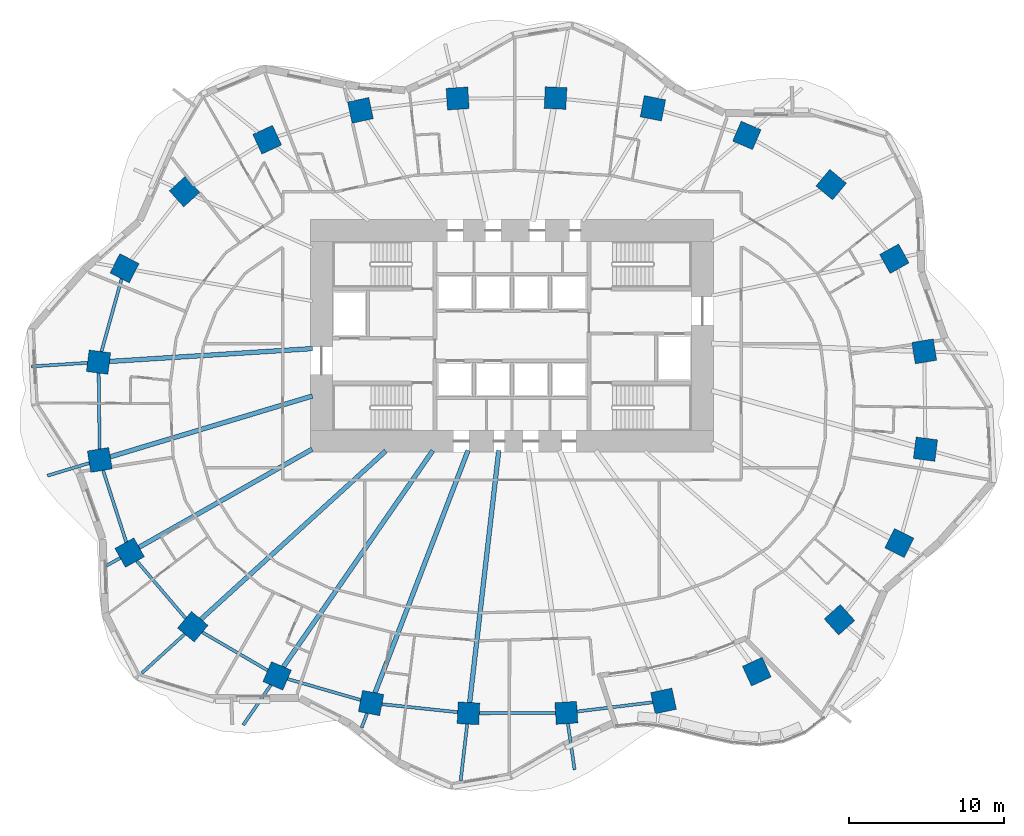
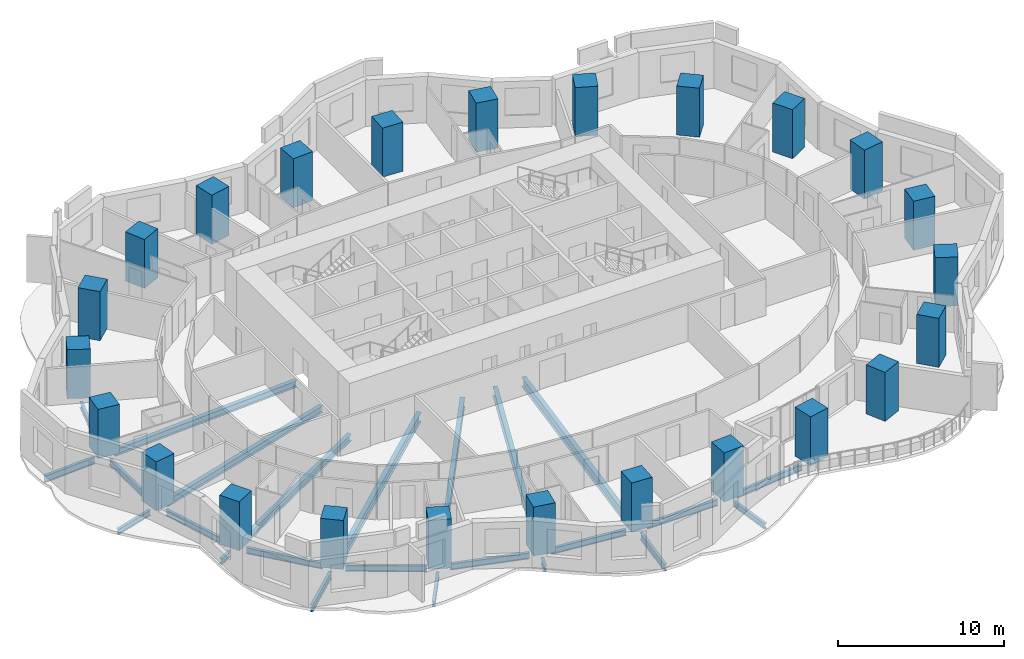
# One storey, part 1 of 14: 24 beams, 24 columns.
"""IFC4 building model written with IfcOpenShell, lengths in metres."""

import ifcopenshell
import ifcopenshell.guid

model = None  # the IFC model being written
_history = None  # IfcOwnerHistory: only IFC2X3 demands one
_inside = {}  # id of a spatial element -> (the spatial element, [elements in it])
_under = {}  # id of a project, library or spatial element -> (it, [spatial elements below it])
_declared = {}  # id of a project -> (the project, [libraries it declares])
_typed = {}  # id of a type object -> (the type object, [elements of that type])
_made_of = {}  # id of a material, layer set ... -> (it, [elements and type objects made of it])


def new_model(schema):
    """Start an empty IFC model of exactly this schema.

    Asked for "IFC4X3", IfcOpenShell would pick the latest addendum, in which some entities
    have other attributes; the version numbers below select the first issue.
    IFC2X3 requires an IfcOwnerHistory on every rooted entity: one is made here for all.
    """
    global model, _history
    if schema == "IFC4X3":
        model = ifcopenshell.file(schema_version=(4, 3, 0, 0))
    else:
        model = ifcopenshell.file(schema=schema)
    _inside.clear()
    _under.clear()
    _declared.clear()
    _typed.clear()
    _made_of.clear()
    _history = None
    if model.schema == "IFC2X3":
        org = make("IfcOrganization", Name="unknown")
        user = make(
            "IfcPersonAndOrganization",
            ThePerson=make("IfcPerson", FamilyName="unknown"),
            TheOrganization=org,
        )
        app = make(
            "IfcApplication",
            ApplicationDeveloper=org,
            Version="unknown",
            ApplicationFullName="unknown",
            ApplicationIdentifier="unknown",
        )
        _history = make(
            "IfcOwnerHistory",
            OwningUser=user,
            OwningApplication=app,
            ChangeAction="ADDED",
            CreationDate=0,
        )
    return model


def make(cls, **values):
    """One entity of the class cls with the attributes given. An attribute that is None is left unset."""
    return model.create_entity(
        cls, **{name: value for name, value in values.items() if value is not None}
    )


def rooted(cls, **values):
    """An entity with a GlobalId (a new one), such as an element, a storey or a relation."""
    return make(cls, GlobalId=ifcopenshell.guid.new(), OwnerHistory=_history, **values)


def si_unit(unit_type, name, prefix=None):
    """IfcSIUnit, for example si_unit("LENGTHUNIT", "METRE", prefix="MILLI")."""
    return make("IfcSIUnit", UnitType=unit_type, Prefix=prefix, Name=name)


def assignment(units):
    """IfcUnitAssignment: the units of a project."""
    return None if units is None else make("IfcUnitAssignment", Units=units)


def point(xyz):
    """IfcCartesianPoint."""
    return None if xyz is None else make("IfcCartesianPoint", Coordinates=xyz)


def direction(xyz):
    """IfcDirection."""
    return None if xyz is None else make("IfcDirection", DirectionRatios=xyz)


def frame(location, z_axis=None, x_axis=None):
    """IfcAxis2Placement3D, a coordinate frame: its origin and axes. An axis left out is left unset."""
    return make(
        "IfcAxis2Placement3D",
        Location=point(location),
        Axis=direction(z_axis),
        RefDirection=direction(x_axis),
    )


def frame_2d(location, x_axis=None):
    """IfcAxis2Placement2D, a coordinate frame in the plane: its origin and x axis."""
    return make(
        "IfcAxis2Placement2D", Location=point(location), RefDirection=direction(x_axis)
    )


def origin():
    """The frame at (0, 0, 0) with its axes left unset."""
    return frame((0.0, 0.0, 0.0))


def origin_2d():
    """The frame at (0, 0) in the plane with its x axis left unset."""
    return frame_2d((0.0, 0.0))


def place(relative_to, where):
    """IfcLocalPlacement: puts the frame where relative to a parent placement (None: the world)."""
    return make(
        "IfcLocalPlacement", PlacementRelTo=relative_to, RelativePlacement=where
    )


def context(
    kind, dimensions, precision=None, world=None, true_north=None, identifier=None
):
    """IfcGeometricRepresentationContext, for example the 3D "Model" context."""
    return make(
        "IfcGeometricRepresentationContext",
        ContextIdentifier=identifier,
        ContextType=kind,
        CoordinateSpaceDimension=dimensions,
        Precision=precision,
        WorldCoordinateSystem=world,
        TrueNorth=true_north,
    )


def subcontext(parent, identifier, kind, view, scale=None):
    """IfcGeometricRepresentationSubContext, for example "Body" below "Model"."""
    return make(
        "IfcGeometricRepresentationSubContext",
        ContextIdentifier=identifier,
        ContextType=kind,
        ParentContext=parent,
        TargetScale=scale,
        TargetView=view,
    )


def project(units=None, contexts=None):
    """IfcProject with its units and contexts."""
    return rooted(
        "IfcProject",
        Name="project",
        RepresentationContexts=contexts,
        UnitsInContext=assignment(units),
    )


def spatial(cls, under=None, at=None, **own):
    """A site, building, storey or space (cls), placed at a placement, below another one or the project."""
    s = rooted(cls, ObjectPlacement=at, **own)
    if under is not None:
        _under.setdefault(under.id(), (under, []))[1].append(s)
    return s


def profile(cls, at=None, kind="AREA", **sizes):
    """A parametric profile (cls). Its sizes go by their IFC names, for example OverallWidth=200.0."""
    return make(cls, ProfileType=kind, Position=at, **sizes)


def rectangle(**sizes):
    """IfcRectangleProfileDef."""
    return profile("IfcRectangleProfileDef", **sizes)


def i_section(**sizes):
    """IfcIShapeProfileDef."""
    return profile("IfcIShapeProfileDef", **sizes)


def extrude(swept, where, along, depth):
    """IfcExtrudedAreaSolid: the profile swept, set in the frame where, extruded along a direction by depth."""
    return make(
        "IfcExtrudedAreaSolid",
        SweptArea=swept,
        Position=where,
        ExtrudedDirection=direction(along),
        Depth=depth,
    )


def shape(context_of_items, identifier, shape_type, items):
    """IfcShapeRepresentation: the items that make up one representation, for example the "Body"."""
    return make(
        "IfcShapeRepresentation",
        ContextOfItems=context_of_items,
        RepresentationIdentifier=identifier,
        RepresentationType=shape_type,
        Items=items,
    )


def material(Name=None, Category=None):
    """IfcMaterial."""
    return make("IfcMaterial", Name=Name, Category=Category)


def material_profile(
    of_material, cross_section, Name=None, Category=None, Priority=None
):
    """IfcMaterialProfile: a cross section and its material."""
    return make(
        "IfcMaterialProfile",
        Name=Name,
        Material=of_material,
        Profile=cross_section,
        Priority=Priority,
        Category=Category,
    )


def profile_set(profiles, Name=None, composite=None):
    """IfcMaterialProfileSet."""
    return make(
        "IfcMaterialProfileSet",
        Name=Name,
        MaterialProfiles=profiles,
        CompositeProfile=composite,
    )


def made_of(thing, what):
    """Note that an element or type object is made of a material, layer set ...; save() writes the relation."""
    if what is not None:
        _made_of.setdefault(what.id(), (what, []))[1].append(thing)
    return thing


def type_object(cls, material=None, **own):
    """A type object (cls), such as IfcWallType, which elements share."""
    return made_of(rooted(cls, **own), material)


def element(
    cls,
    number,
    at=None,
    inside=None,
    cuts=None,
    type_object=None,
    material=None,
    context=None,
    identifier="Body",
    shape_type=None,
    held_by="IfcProductDefinitionShape",
    body=None,
    shapes=None,
    **own,
):
    """One element of the class cls, such as IfcWall. Its Tag is "e" and its number.

    at: its placement. inside: the storey or other place that contains it. cuts: it is an
    opening in that element (IfcRelVoidsElement). A single representation is given by context,
    identifier, shape_type and body (its items); several are given by shapes. held_by: the class
    of the entity that holds the representations. save() writes the other relations.
    """
    e = rooted(cls, Tag="e%d" % number, ObjectPlacement=at, **own)
    if body is not None:
        shapes = [shape(context, identifier, shape_type, body)]
    if shapes is not None:
        e.Representation = make(held_by, Representations=shapes)
    if inside is not None:
        _inside.setdefault(inside.id(), (inside, []))[1].append(e)
    if cuts is not None:
        rooted(
            "IfcRelVoidsElement", RelatingBuildingElement=cuts, RelatedOpeningElement=e
        )
    if type_object is not None:
        _typed.setdefault(type_object.id(), (type_object, []))[1].append(e)
    return made_of(e, material)


def aggregate(whole, parts):
    """IfcRelAggregates: a whole, such as a stair, and the parts it consists of."""
    return rooted("IfcRelAggregates", RelatingObject=whole, RelatedObjects=parts)


def save(model, path):
    """Write the relations noted so far, then the file.

    IfcRelAggregates (storeys below a building ...), IfcRelContainedInSpatialStructure (elements
    in a storey), IfcRelDefinesByType, IfcRelAssociatesMaterial and IfcRelDeclares: one each for
    every whole, place, type object, material and project.
    """
    for whole, parts in _under.values():
        aggregate(whole, parts)
    for where, things in _inside.values():
        rooted(
            "IfcRelContainedInSpatialStructure",
            RelatedElements=things,
            RelatingStructure=where,
        )
    for kind, things in _typed.values():
        rooted("IfcRelDefinesByType", RelatedObjects=things, RelatingType=kind)
    for what, things in _made_of.values():
        rooted("IfcRelAssociatesMaterial", RelatedObjects=things, RelatingMaterial=what)
    for by, libraries in _declared.values():
        rooted("IfcRelDeclares", RelatingContext=by, RelatedDefinitions=libraries)
    model.write(path)


model = new_model("IFC4")

# Units and contexts
model_context = context("Model", 3, precision=1e-05, world=origin(), true_north=direction((0.0, 1.0)))
body_context = subcontext(model_context, "Body", "Model", "MODEL_VIEW")
ifc_project = project(units=[si_unit("LENGTHUNIT", "METRE"), si_unit("AREAUNIT", "SQUARE_METRE"), si_unit("VOLUMEUNIT", "CUBIC_METRE"), si_unit("PLANEANGLEUNIT", "RADIAN"), si_unit("MASSUNIT", "GRAM", prefix="KILO")], contexts=[model_context])

# Site, building, storey
site_placement = place(None, origin())
site = spatial("IfcSite", under=ifc_project, at=site_placement, CompositionType="ELEMENT")
building_placement = place(site_placement, origin())
building = spatial("IfcBuilding", under=site, at=building_placement, Name="Rubra Terraces Tower", CompositionType="ELEMENT")
storey_placement = place(building_placement, frame((0.0, 0.0, 44.699951171875)))
storey = spatial("IfcBuildingStorey", under=building, at=storey_placement, Name="L08", CompositionType="ELEMENT", Elevation=44.699951171875)

# Columns
ifc_material_1 = material(Name="Concrete C60", Category="concrete")
ifc_material_profile_1 = material_profile(ifc_material_1, rectangle(XDim=1.39990234375, YDim=1.39990234375, at=origin_2d()), Name="RC 1400x1400")
ifc_profile_set_1 = profile_set([ifc_material_profile_1], Name="Concrete C60")
column_type = type_object("IfcColumnType", Name="RING COLUMN RC 1400x1400 C60", PredefinedType="COLUMN", material=ifc_profile_set_1)
for number, where, z_axis, x_axis, name in (
    (1, (26.60498046875, 3.5029296875, 0.0), (0.0, 0.0, 1.0), (-0.161234051287, 0.986916197408, 0.0), "column-L08-ring-01"),
    (2, (24.676025390625, 9.48291015625, 0.0), (0.0, 0.0, 1.0), (-0.487226597714, 0.873275582208, 0.0), "column-L08-ring-02"),
    (3, (20.60009765625, 14.26611328125, 0.0), (0.0, 0.0, 1.0), (-0.767209547574, 0.641396531104, 0.0), "column-L08-ring-03"),
    (4, (15.156982421875, 17.44091796875, 0.0), (0.0, 0.0, 1.0), (-0.919293738002, 0.393572132232, 0.0), "column-L08-ring-04"),
    (5, (9.093994140625, 19.19189453125, 0.0), (0.0, 0.0, 1.0), (-0.981430410798, 0.191818530806, 0.0), "column-L08-ring-05"),
    (6, (2.81103515625, 19.85400390625, 0.0), (0.0, 0.0, 1.0), (-0.99874501614, 0.050083857035, 0.0), "column-L08-ring-06"),
    (7, (-3.509033203125, 19.823974609375, 0.0), (0.0, 0.0, 1.0), (-0.9980076013, -0.063093801177, 0.0), "column-L08-ring-07"),
    (8, (-9.780029296875, 19.05810546875, 0.0), (0.0, 0.0, 1.0), (-0.977386186482, -0.211462153764, 0.0), "column-L08-ring-08"),
    (9, (-15.799072265625, 17.1650390625, 0.0), (0.0, 0.0, 1.0), (-0.907952363445, -0.419073389413, 0.0), "column-L08-ring-09"),
    (10, (-21.135009765625, 13.81689453125, 0.0), (0.0, 0.0, 1.0), (-0.742675944539, -0.66965098477, 0.0), "column-L08-ring-10"),
    (11, (-25.0029296875, 8.865966796875, 0.0), (0.0, 0.0, 1.0), (-0.450098906028, -0.892978709036, 0.0), "column-L08-ring-11"),
    (12, (-26.68408203125, 2.80810546875, 0.0), (0.0, 0.0, 1.0), (-0.128444510405, -0.991716697322, 0.0), "column-L08-ring-12"),
    (13, (-26.60498046875, -3.5029296875, 0.0), (0.0, 0.0, 1.0), (0.161234051287, -0.986916197408, 0.0), "column-L08-ring-13"),
    (14, (-24.676025390625, -9.48291015625, 0.0), (0.0, 0.0, 1.0), (0.487226597714, -0.873275582208, 0.0), "column-L08-ring-14"),
    (15, (-20.60009765625, -14.26611328125, 0.0), (0.0, 0.0, 1.0), (0.767209547574, -0.641396531104, 0.0), "column-L08-ring-15"),
    (16, (-15.156982421875, -17.44091796875, 0.0), (0.0, 0.0, 1.0), (0.919293738002, -0.393572132232, 0.0), "column-L08-ring-16"),
    (17, (-9.093994140625, -19.19189453125, 0.0), (0.0, 0.0, 1.0), (0.981430410798, -0.191818530806, 0.0), "column-L08-ring-17"),
    (18, (-2.81103515625, -19.85400390625, 0.0), (0.0, 0.0, 1.0), (0.99874501614, -0.050083857035, 0.0), "column-L08-ring-18"),
    (19, (3.509033203125, -19.823974609375, 0.0), (0.0, 0.0, 1.0), (0.9980076013, 0.063093801177, 0.0), "column-L08-ring-19"),
    (20, (9.780029296875, -19.05810546875, 0.0), (0.0, 0.0, 1.0), (0.977386186482, 0.211462153764, 0.0), "column-L08-ring-20"),
    (21, (15.799072265625, -17.1650390625, 0.0), (0.0, 0.0, 1.0), (0.907952363445, 0.419073389413, 0.0), "column-L08-ring-21"),
    (22, (21.135009765625, -13.81689453125, 0.0), (0.0, 0.0, 1.0), (0.742675944539, 0.66965098477, 0.0), "column-L08-ring-22"),
    (23, (25.0029296875, -8.865966796875, 0.0), (0.0, 0.0, 1.0), (0.450098906028, 0.892978709036, 0.0), "column-L08-ring-23"),
    (24, (26.68408203125, -2.80810546875, 0.0), (0.0, 0.0, 1.0), (0.128444510405, 0.991716697322, 0.0), "column-L08-ring-24"),
):
    element("IfcColumn", number, at=place(storey_placement, frame(where, z_axis=z_axis, x_axis=x_axis)), inside=storey, type_object=column_type, Name=name, PredefinedType="COLUMN", context=body_context, shape_type="SweptSolid", body=[
        extrude(rectangle(XDim=1.39990234375, YDim=1.39990234375, at=origin_2d()), origin(), (0.0, 0.0, 1.0), 3.60009765625),
    ])

# Beams
ifc_material_2 = material(Name="Steel Q355B", Category="steel")
ifc_material_profile_2 = material_profile(ifc_material_2, i_section(OverallWidth=0.199951171875, OverallDepth=0.39990234375, WebThickness=0.008056640625, FlangeThickness=0.012939453125, at=origin_2d()), Name="HN 400x200x8x13")
ifc_profile_set_2 = profile_set([ifc_material_profile_2], Name="Steel Q355B")
beam_type_1 = type_object("IfcBeamType", Name="CANTILEVER BEAM HN 400x200x8x13", PredefinedType="BEAM", material=ifc_profile_set_2)
beam_1_placement = place(storey_placement, frame((-27.281005859375, -3.7060546875, -0.39990234375), z_axis=(-0.95758002383, -0.288167482486, 0.0), x_axis=(0.288167482486, -0.95758002383, 0.0)))
element("IfcBeam", 25, at=beam_1_placement, inside=storey, type_object=beam_type_1, Name="beam-L08-cant-13", PredefinedType="BEAM", context=body_context, shape_type="SweptSolid", body=[
    extrude(i_section(OverallWidth=0.199951171875, OverallDepth=0.39990234375, WebThickness=0.008056640625, FlangeThickness=0.012939453125, at=origin_2d()), origin(), (0.0, 0.0, 1.0), 2.814453125),
])
beam_2_placement = place(storey_placement, frame((-15.56298828125, -18.029052734375, -0.39990234375), z_axis=(-0.568561353485, -0.822640861691, 0.0), x_axis=(0.822640861691, -0.568561353485, 0.0)))
element("IfcBeam", 26, at=beam_2_placement, inside=storey, type_object=beam_type_1, Name="beam-L08-cant-16", PredefinedType="BEAM", context=body_context, shape_type="SweptSolid", body=[
    extrude(i_section(OverallWidth=0.199951171875, OverallDepth=0.39990234375, WebThickness=0.008056640625, FlangeThickness=0.012939453125, at=origin_2d()), origin(), (0.0, 0.0, 1.0), 3.132568359375),
])
beam_3_placement = place(storey_placement, frame((3.60888671875, -20.51904296875, -0.39990234375), z_axis=(0.143054217622, -0.989714853289, 0.0), x_axis=(0.989714853289, 0.143054217622, 0.0)))
element("IfcBeam", 27, at=beam_3_placement, inside=storey, type_object=beam_type_1, Name="beam-L08-cant-19", PredefinedType="BEAM", context=body_context, shape_type="SweptSolid", body=[
    extrude(i_section(OverallWidth=0.199951171875, OverallDepth=0.39990234375, WebThickness=0.008056640625, FlangeThickness=0.012939453125, at=origin_2d()), origin(), (0.0, 0.0, 1.0), 3.013916015625),
])
ifc_material_profile_3 = material_profile(ifc_material_2, i_section(OverallWidth=0.198974609375, OverallDepth=0.49609375, WebThickness=0.009033203125, FlangeThickness=0.013916015625, at=origin_2d()), Name="HN 496x199x9x14")
ifc_profile_set_3 = profile_set([ifc_material_profile_3], Name="Steel Q355B")
beam_type_2 = type_object("IfcBeamType", Name="CANTILEVER BEAM HN 496x199x9x14", PredefinedType="BEAM", material=ifc_profile_set_3)
beam_4_placement = place(storey_placement, frame((-27.39599609375, 2.762939453125, -0.447998046875), z_axis=(-0.997998430051, -0.063238703465, 0.0), x_axis=(0.063238703465, -0.997998430051, 0.0)))
element("IfcBeam", 28, at=beam_4_placement, inside=storey, type_object=beam_type_2, Name="beam-L08-cant-12", PredefinedType="BEAM", context=body_context, shape_type="SweptSolid", body=[
    extrude(i_section(OverallWidth=0.198974609375, OverallDepth=0.49609375, WebThickness=0.009033203125, FlangeThickness=0.013916015625, at=origin_2d()), origin(), (0.0, 0.0, 1.0), 3.621337890625),
])
beam_5_placement = place(storey_placement, frame((-21.1220703125, -14.741943359375, -0.447998046875), z_axis=(-0.739230300797, -0.673452717259, 0.0), x_axis=(0.673452717259, -0.739230300797, 0.0)))
element("IfcBeam", 29, at=beam_5_placement, inside=storey, type_object=beam_type_2, Name="beam-L08-cant-15", PredefinedType="BEAM", context=body_context, shape_type="SweptSolid", body=[
    extrude(i_section(OverallWidth=0.198974609375, OverallDepth=0.49609375, WebThickness=0.009033203125, FlangeThickness=0.013916015625, at=origin_2d()), origin(), (0.0, 0.0, 1.0), 3.737548828125),
])
beam_6_placement = place(storey_placement, frame((-2.89111328125, -20.551025390625, -0.447998046875), z_axis=(-0.114760227617, -0.99339322031, 0.0), x_axis=(0.99339322031, -0.114760227617, 0.0)))
element("IfcBeam", 30, at=beam_6_placement, inside=storey, type_object=beam_type_2, Name="beam-L08-cant-18", PredefinedType="BEAM", context=body_context, shape_type="SweptSolid", body=[
    extrude(i_section(OverallWidth=0.198974609375, OverallDepth=0.49609375, WebThickness=0.009033203125, FlangeThickness=0.013916015625, at=origin_2d()), origin(), (0.0, 0.0, 1.0), 3.676025390625),
])
ifc_material_profile_4 = material_profile(ifc_material_2, i_section(OverallWidth=0.199951171875, OverallDepth=0.39990234375, WebThickness=0.008056640625, FlangeThickness=0.012939453125, at=origin_2d()), Name="HN 400x200x8x13")
ifc_profile_set_4 = profile_set([ifc_material_profile_4], Name="Steel Q355B")
beam_type_3 = type_object("IfcBeamType", Name="CANTILEVER STUB HN 400x200x8x13", PredefinedType="BEAM", material=ifc_profile_set_4)
beam_7_placement = place(storey_placement, frame((-25.284912109375, -9.827880859375, -0.39990234375), z_axis=(-0.869831937936, -0.493348152674, 0.0), x_axis=(0.493348152674, -0.869831937936, 0.0)))
element("IfcBeam", 31, at=beam_7_placement, inside=storey, type_object=beam_type_3, Name="beam-L08-cant-14", PredefinedType="BEAM", context=body_context, shape_type="SweptSolid", body=[
    extrude(i_section(OverallWidth=0.199951171875, OverallDepth=0.39990234375, WebThickness=0.008056640625, FlangeThickness=0.012939453125, at=origin_2d()), origin(), (0.0, 0.0, 1.0), 1.02783203125),
])
beam_8_placement = place(storey_placement, frame((-9.34912109375, -19.85498046875, -0.39990234375), z_axis=(-0.357321473946, -0.933981458198, 0.0), x_axis=(0.933981458198, -0.357321473946, 0.0)))
element("IfcBeam", 32, at=beam_8_placement, inside=storey, type_object=beam_type_3, Name="beam-L08-cant-17", PredefinedType="BEAM", context=body_context, shape_type="SweptSolid", body=[
    extrude(i_section(OverallWidth=0.199951171875, OverallDepth=0.39990234375, WebThickness=0.008056640625, FlangeThickness=0.012939453125, at=origin_2d()), origin(), (0.0, 0.0, 1.0), 0.9873046875),
])
ifc_material_profile_5 = material_profile(ifc_material_2, i_section(OverallWidth=0.300048828125, OverallDepth=0.48193359375, WebThickness=0.010986328125, FlangeThickness=0.014892578125, at=origin_2d()), Name="HM 482x300x11x15")
ifc_profile_set_5 = profile_set([ifc_material_profile_5], Name="Steel Q355B")
beam_type_4 = type_object("IfcBeamType", Name="FLOOR BEAM HM 482x300x11x15", PredefinedType="BEAM", material=ifc_profile_set_5)
beam_9_placement = place(storey_placement, frame((-25.971923828125, 2.85302734375, -0.44091796875), z_axis=(0.997996052936, 0.06327620662, 0.0), x_axis=(-0.06327620662, 0.997996052936, 0.0)))
element("IfcBeam", 33, at=beam_9_placement, inside=storey, type_object=beam_type_4, Name="beam-L08-floor-12", PredefinedType="BEAM", context=body_context, shape_type="SweptSolid", body=[
    extrude(i_section(OverallWidth=0.300048828125, OverallDepth=0.48193359375, WebThickness=0.010986328125, FlangeThickness=0.014892578125, at=origin_2d()), origin(), (0.0, 0.0, 1.0), 13.118408203125),
])
beam_10_placement = place(storey_placement, frame((-25.928955078125, -3.300048828125, -0.44091796875), z_axis=(0.957605991861, 0.288081176671, 0.0), x_axis=(-0.288081176671, 0.957605991861, 0.0)))
element("IfcBeam", 34, at=beam_10_placement, inside=storey, type_object=beam_type_4, Name="beam-L08-floor-13", PredefinedType="BEAM", context=body_context, shape_type="SweptSolid", body=[
    extrude(i_section(OverallWidth=0.300048828125, OverallDepth=0.48193359375, WebThickness=0.010986328125, FlangeThickness=0.014892578125, at=origin_2d()), origin(), (0.0, 0.0, 1.0), 13.621337890625),
])
beam_11_placement = place(storey_placement, frame((-24.06689453125, -9.137939453125, -0.44091796875), z_axis=(0.869992824144, 0.493064383157, 0.0), x_axis=(-0.493064383157, 0.869992824144, 0.0)))
element("IfcBeam", 35, at=beam_11_placement, inside=storey, type_object=beam_type_4, Name="beam-L08-floor-14", PredefinedType="BEAM", context=body_context, shape_type="SweptSolid", body=[
    extrude(i_section(OverallWidth=0.300048828125, OverallDepth=0.48193359375, WebThickness=0.010986328125, FlangeThickness=0.014892578125, at=origin_2d()), origin(), (0.0, 0.0, 1.0), 12.84033203125),
])
ifc_material_profile_6 = material_profile(ifc_material_2, i_section(OverallWidth=0.300048828125, OverallDepth=0.699951171875, WebThickness=0.012939453125, FlangeThickness=0.02392578125, at=origin_2d()), Name="HN 700x300x13x24")
ifc_profile_set_6 = profile_set([ifc_material_profile_6], Name="Steel Q355B")
beam_type_5 = type_object("IfcBeamType", Name="FLOOR BEAM HN 700x300x13x24", PredefinedType="BEAM", material=ifc_profile_set_6)
beam_12_placement = place(storey_placement, frame((-20.077880859375, -13.7900390625, -0.550048828125), z_axis=(0.739256734846, 0.673423700195, 0.0), x_axis=(-0.673423700195, 0.739256734846, 0.0)))
element("IfcBeam", 36, at=beam_12_placement, inside=storey, type_object=beam_type_5, Name="beam-L08-floor-15", PredefinedType="BEAM", context=body_context, shape_type="SweptSolid", body=[
    extrude(i_section(OverallWidth=0.300048828125, OverallDepth=0.699951171875, WebThickness=0.012939453125, FlangeThickness=0.02392578125, at=origin_2d()), origin(), (0.0, 0.0, 1.0), 16.14306640625),
])
beam_13_placement = place(storey_placement, frame((-14.7509765625, -16.85302734375, -0.550048828125), z_axis=(0.568362941886, 0.822777956858, 0.0), x_axis=(-0.822777956858, 0.568362941886, 0.0)))
element("IfcBeam", 37, at=beam_13_placement, inside=storey, type_object=beam_type_5, Name="beam-L08-floor-16", PredefinedType="BEAM", context=body_context, shape_type="SweptSolid", body=[
    extrude(i_section(OverallWidth=0.300048828125, OverallDepth=0.699951171875, WebThickness=0.012939453125, FlangeThickness=0.02392578125, at=origin_2d()), origin(), (0.0, 0.0, 1.0), 16.957275390625),
])
beam_14_placement = place(storey_placement, frame((-8.839111328125, -18.529052734375, -0.550048828125), z_axis=(0.358321803184, 0.933598139117, 0.0), x_axis=(-0.933598139117, 0.358321803184, 0.0)))
element("IfcBeam", 38, at=beam_14_placement, inside=storey, type_object=beam_type_5, Name="beam-L08-floor-17", PredefinedType="BEAM", context=body_context, shape_type="SweptSolid", body=[
    extrude(i_section(OverallWidth=0.300048828125, OverallDepth=0.699951171875, WebThickness=0.012939453125, FlangeThickness=0.02392578125, at=origin_2d()), origin(), (0.0, 0.0, 1.0), 16.753662109375),
])
beam_15_placement = place(storey_placement, frame((-2.73095703125, -19.156982421875, -0.550048828125), z_axis=(0.114679535872, 0.993402538779, 0.0), x_axis=(-0.993402538779, 0.114679535872, 0.0)))
element("IfcBeam", 39, at=beam_15_placement, inside=storey, type_object=beam_type_5, Name="beam-L08-floor-18", PredefinedType="BEAM", context=body_context, shape_type="SweptSolid", body=[
    extrude(i_section(OverallWidth=0.300048828125, OverallDepth=0.699951171875, WebThickness=0.012939453125, FlangeThickness=0.02392578125, at=origin_2d()), origin(), (0.0, 0.0, 1.0), 16.384033203125),
])
ifc_material_profile_7 = material_profile(ifc_material_2, i_section(OverallWidth=0.198974609375, OverallDepth=0.446044921875, WebThickness=0.008056640625, FlangeThickness=0.011962890625, at=origin_2d()), Name="HN 446x199x8x12")
ifc_profile_set_7 = profile_set([ifc_material_profile_7], Name="Steel Q355B")
beam_type_6 = type_object("IfcBeamType", Name="SPANDREL BEAM HN 446x199x8x12", PredefinedType="SPANDREL", material=ifc_profile_set_7)
beam_16_placement = place(storey_placement, frame((-25.194091796875, 8.177978515625, -0.4228515625), z_axis=(-0.267364386726, -0.96359549849, 0.0), x_axis=(0.96359549849, -0.267364386726, 0.0)))
element("IfcBeam", 40, at=beam_16_placement, inside=storey, type_object=beam_type_6, Name="beam-L08-spandrel-11", PredefinedType="SPANDREL", context=body_context, shape_type="SweptSolid", body=[
    extrude(i_section(OverallWidth=0.198974609375, OverallDepth=0.446044921875, WebThickness=0.008056640625, FlangeThickness=0.011962890625, at=origin_2d()), origin(), (0.0, 0.0, 1.0), 4.8662109375),
])
beam_17_placement = place(storey_placement, frame((-26.675048828125, 2.10107421875, -0.4228515625), z_axis=(0.012465372298, -0.999922304228, 0.0), x_axis=(0.999922304228, 0.012465372298, 0.0)))
element("IfcBeam", 41, at=beam_17_placement, inside=storey, type_object=beam_type_6, Name="beam-L08-spandrel-12", PredefinedType="SPANDREL", context=body_context, shape_type="SweptSolid", body=[
    extrude(i_section(OverallWidth=0.198974609375, OverallDepth=0.446044921875, WebThickness=0.008056640625, FlangeThickness=0.011962890625, at=origin_2d()), origin(), (0.0, 0.0, 1.0), 4.896484375),
])
beam_18_placement = place(storey_placement, frame((-26.387939453125, -4.177001953125, -0.4228515625), z_axis=(0.30706880261, -0.951687317591, 0.0), x_axis=(0.951687317591, 0.30706880261, 0.0)))
element("IfcBeam", 42, at=beam_18_placement, inside=storey, type_object=beam_type_6, Name="beam-L08-spandrel-13", PredefinedType="SPANDREL", context=body_context, shape_type="SweptSolid", body=[
    extrude(i_section(OverallWidth=0.198974609375, OverallDepth=0.446044921875, WebThickness=0.008056640625, FlangeThickness=0.011962890625, at=origin_2d()), origin(), (0.0, 0.0, 1.0), 4.86181640625),
])
beam_19_placement = place(storey_placement, frame((-24.212890625, -10.02587890625, -0.4228515625), z_axis=(0.648447050824, -0.761259760054, 0.0), x_axis=(0.761259760054, 0.648447050824, 0.0)))
element("IfcBeam", 43, at=beam_19_placement, inside=storey, type_object=beam_type_6, Name="beam-L08-spandrel-14", PredefinedType="SPANDREL", context=body_context, shape_type="SweptSolid", body=[
    extrude(i_section(OverallWidth=0.198974609375, OverallDepth=0.446044921875, WebThickness=0.008056640625, FlangeThickness=0.011962890625, at=origin_2d()), origin(), (0.0, 0.0, 1.0), 4.860595703125),
])
beam_20_placement = place(storey_placement, frame((-19.987060546875, -14.6240234375, -0.4228515625), z_axis=(0.863806081452, -0.503824427402, 0.0), x_axis=(0.503824427402, 0.863806081452, 0.0)))
element("IfcBeam", 44, at=beam_20_placement, inside=storey, type_object=beam_type_6, Name="beam-L08-spandrel-15", PredefinedType="SPANDREL", context=body_context, shape_type="SweptSolid", body=[
    extrude(i_section(OverallWidth=0.198974609375, OverallDepth=0.446044921875, WebThickness=0.008056640625, FlangeThickness=0.011962890625, at=origin_2d()), origin(), (0.0, 0.0, 1.0), 4.886474609375),
])
beam_21_placement = place(storey_placement, frame((-14.47900390625, -17.636962890625, -0.4228515625), z_axis=(0.960743980202, -0.277436487337, 0.0), x_axis=(0.277436487337, 0.960743980202, 0.0)))
element("IfcBeam", 45, at=beam_21_placement, inside=storey, type_object=beam_type_6, Name="beam-L08-spandrel-16", PredefinedType="SPANDREL", context=body_context, shape_type="SweptSolid", body=[
    extrude(i_section(OverallWidth=0.198974609375, OverallDepth=0.446044921875, WebThickness=0.008056640625, FlangeThickness=0.011962890625, at=origin_2d()), origin(), (0.0, 0.0, 1.0), 4.90234375),
])
beam_22_placement = place(storey_placement, frame((-8.39501953125, -19.26611328125, -0.4228515625), z_axis=(0.994495375694, -0.104780473964, 0.0), x_axis=(0.104780473964, 0.994495375694, 0.0)))
element("IfcBeam", 46, at=beam_22_placement, inside=storey, type_object=beam_type_6, Name="beam-L08-spandrel-17", PredefinedType="SPANDREL", context=body_context, shape_type="SweptSolid", body=[
    extrude(i_section(OverallWidth=0.198974609375, OverallDepth=0.446044921875, WebThickness=0.008056640625, FlangeThickness=0.011962890625, at=origin_2d()), origin(), (0.0, 0.0, 1.0), 4.9140625),
])
beam_23_placement = place(storey_placement, frame((-2.110107421875, -19.85107421875, -0.4228515625), z_axis=(0.999987924698, 0.004914311469, 0.0), x_axis=(-0.004914311469, 0.999987924698, 0.0)))
element("IfcBeam", 47, at=beam_23_placement, inside=storey, type_object=beam_type_6, Name="beam-L08-spandrel-18", PredefinedType="SPANDREL", context=body_context, shape_type="SweptSolid", body=[
    extrude(i_section(OverallWidth=0.198974609375, OverallDepth=0.446044921875, WebThickness=0.008056640625, FlangeThickness=0.011962890625, at=origin_2d()), origin(), (0.0, 0.0, 1.0), 4.918212890625),
])
beam_24_placement = place(storey_placement, frame((4.205078125, -19.739013671875, -0.4228515625), z_axis=(0.992616576014, 0.12129440639, 0.0), x_axis=(-0.12129440639, 0.992616576014, 0.0)))
element("IfcBeam", 48, at=beam_24_placement, inside=storey, type_object=beam_type_6, Name="beam-L08-spandrel-19", PredefinedType="SPANDREL", context=body_context, shape_type="SweptSolid", body=[
    extrude(i_section(OverallWidth=0.198974609375, OverallDepth=0.446044921875, WebThickness=0.008056640625, FlangeThickness=0.011962890625, at=origin_2d()), origin(), (0.0, 0.0, 1.0), 4.913330078125),
])

save(model, "model.ifc")
